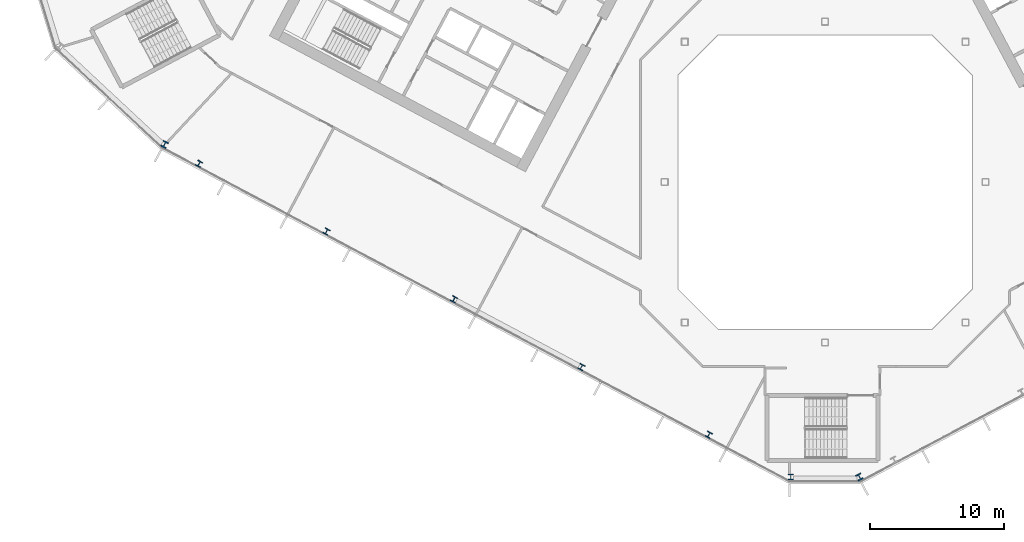
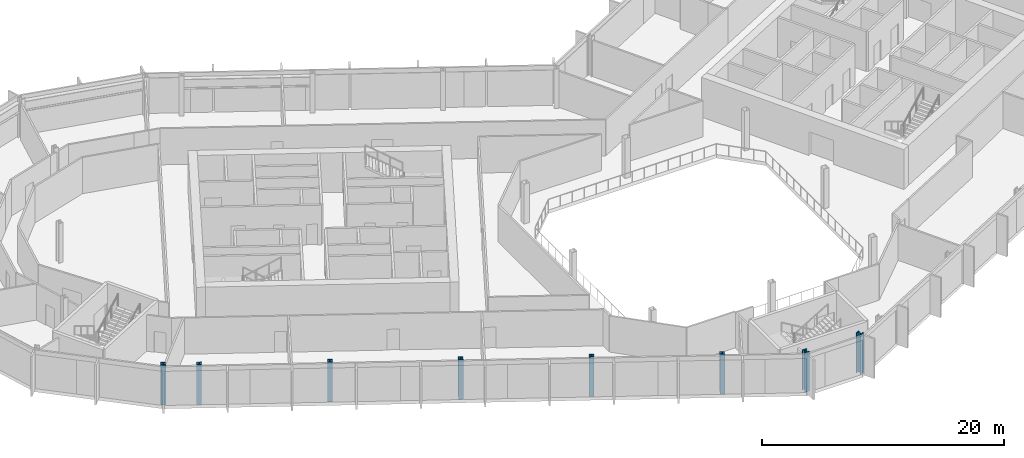
# One storey, part 1 of 28: 8 columns.
"""IFC4 building model written with IfcOpenShell, lengths in metres."""

from ifc_helpers import new_model, si_unit, direction, frame, origin, origin_2d, place, context, subcontext, project, spatial, i_section, extrude, material, material_profile, profile_set, type_object, element, save


model = new_model("IFC4")

# Units and contexts
model_context = context("Model", 3, precision=1e-05, world=origin(), true_north=direction((0.0, 1.0)))
body_context = subcontext(model_context, "Body", "Model", "MODEL_VIEW")
ifc_project = project(units=[si_unit("LENGTHUNIT", "METRE"), si_unit("AREAUNIT", "SQUARE_METRE"), si_unit("VOLUMEUNIT", "CUBIC_METRE"), si_unit("PLANEANGLEUNIT", "RADIAN"), si_unit("MASSUNIT", "GRAM", prefix="KILO")], contexts=[model_context])

# Site, building, storey
site_placement = place(None, origin())
site = spatial("IfcSite", under=ifc_project, at=site_placement, CompositionType="ELEMENT")
building_placement = place(site_placement, origin())
building = spatial("IfcBuilding", under=site, at=building_placement, Name="Cormorant Relay Tower", CompositionType="ELEMENT")
storey_placement = place(building_placement, frame((0.0, 0.0, 122.199951171875)))
storey = spatial("IfcBuildingStorey", under=building, at=storey_placement, Name="L24", CompositionType="ELEMENT", Elevation=122.199951171875)

# Columns
ifc_material_1 = material(Name="Steel ASTM A992 (Fy 345 MPa)", Category="steel")
ifc_material_profile_1 = material_profile(ifc_material_1, i_section(OverallWidth=0.41162109375, OverallDepth=0.434326171875, WebThickness=0.035888671875, FlangeThickness=0.057373046875, FilletRadius=0.01513671875, at=origin_2d()), Name="W360x463")
ifc_profile_set_1 = profile_set([ifc_material_profile_1], Name="Steel ASTM A992 (Fy 345 MPa)")
column_type_1 = type_object("IfcColumnType", Name="Column W360x463", PredefinedType="COLUMN", material=ifc_profile_set_1)
for number, where, z_axis, x_axis, name in (
    (1, (-8.696044921875, -18.910888671875, 0.0), (0.0, 0.0, 1.0), (0.882947592859, -0.469471562786, 0.0), "Column L24-004"),
    (2, (-18.23193359375, -13.841064453125, 0.0), (0.0, 0.0, 1.0), (0.882947592859, -0.469471562786, 0.0), "Column L24-006"),
    (3, (-27.76806640625, -8.77001953125, 0.0), (0.0, 0.0, 1.0), (0.882947592859, -0.469471562786, 0.0), "Column L24-011"),
    (4, (-37.303955078125, -3.699951171875, 0.0), (0.0, 0.0, 1.0), (0.882947592859, -0.469471562786, 0.0), "Column L24-013"),
    (5, (-46.839111328125, 1.3701171875, 0.0), (0.0, 0.0, 1.0), (0.882947592859, -0.469471562786, 0.0), "Column L24-018"),
):
    element("IfcColumn", number, at=place(storey_placement, frame(where, z_axis=z_axis, x_axis=x_axis)), inside=storey, type_object=column_type_1, Name=name, PredefinedType="COLUMN", context=body_context, shape_type="SweptSolid", body=[
        extrude(i_section(OverallWidth=0.41162109375, OverallDepth=0.434326171875, WebThickness=0.035888671875, FlangeThickness=0.057373046875, FilletRadius=0.01513671875, at=origin_2d()), origin(), (0.0, 0.0, 1.0), 4.0),
    ])
ifc_material_2 = material(Name="Steel ASTM A992 (Fy 345 MPa)", Category="steel")
ifc_material_profile_2 = material_profile(ifc_material_2, i_section(OverallWidth=0.42431640625, OverallDepth=0.47509765625, WebThickness=0.0478515625, FlangeThickness=0.0771484375, FilletRadius=0.014892578125, at=origin_2d()), Name="W360x634")
ifc_profile_set_2 = profile_set([ifc_material_profile_2], Name="Steel ASTM A992 (Fy 345 MPa)")
column_type_2 = type_object("IfcColumnType", Name="Column W360x634", PredefinedType="COLUMN", material=ifc_profile_set_2)
for number, where, z_axis, x_axis, name in (
    (6, (-2.571044921875, -22.06494140625, 0.0), (0.0, 0.0, 1.0), (1.0, 0.0, 0.0), "Column L24-001"),
    (7, (2.571044921875, -22.06494140625, 0.0), (0.0, 0.0, 1.0), (0.882947592859, 0.469471562786, 0.0), "Column L24-002"),
    (8, (-49.423095703125, 2.820068359375, 0.0), (0.0, 0.0, 1.0), (0.882947592859, -0.469471562786, 0.0), "Column L24-019"),
):
    element("IfcColumn", number, at=place(storey_placement, frame(where, z_axis=z_axis, x_axis=x_axis)), inside=storey, type_object=column_type_2, Name=name, PredefinedType="COLUMN", context=body_context, shape_type="SweptSolid", body=[
        extrude(i_section(OverallWidth=0.42431640625, OverallDepth=0.47509765625, WebThickness=0.0478515625, FlangeThickness=0.0771484375, FilletRadius=0.014892578125, at=origin_2d()), origin(), (0.0, 0.0, 1.0), 4.0),
    ])

save(model, "model.ifc")
